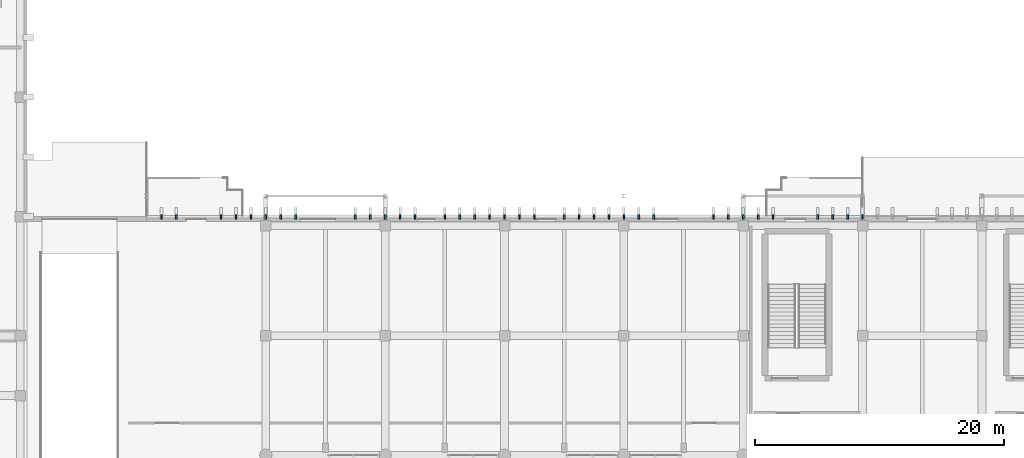
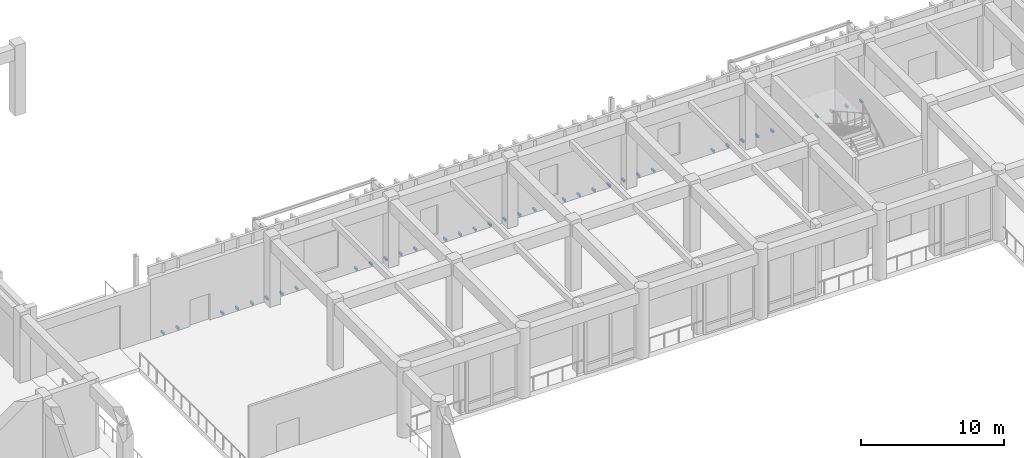
# One storey, part 56 of 87: 36 discrete accessories.
"""IFC4 building model written with IfcOpenShell, lengths in metres."""

from ifc_helpers import new_model, si_unit, direction, frame, origin, origin_2d, place, context, subcontext, project, spatial, rectangle, extrude, material, type_object, element, save


model = new_model("IFC4")

# Units and contexts
model_context = context("Model", 3, precision=1e-05, world=origin(), true_north=direction((0.0, 1.0)))
body_context = subcontext(model_context, "Body", "Model", "MODEL_VIEW")
ifc_project = project(units=[si_unit("LENGTHUNIT", "METRE"), si_unit("AREAUNIT", "SQUARE_METRE"), si_unit("VOLUMEUNIT", "CUBIC_METRE"), si_unit("PLANEANGLEUNIT", "RADIAN"), si_unit("MASSUNIT", "GRAM", prefix="KILO")], contexts=[model_context])

# Site, building, storey
site_placement = place(None, origin())
site = spatial("IfcSite", under=ifc_project, at=site_placement, CompositionType="ELEMENT")
building_placement = place(site_placement, origin())
building = spatial("IfcBuilding", under=site, at=building_placement, Name="Nakhvara Creek Congress Hotel", CompositionType="ELEMENT")
storey_placement = place(building_placement, origin())
storey = spatial("IfcBuildingStorey", under=building, at=storey_placement, Name="L00", CompositionType="ELEMENT", Elevation=0.0)

# Discrete accessories
ifc_material = material(Name="Brushed stainless steel 316L", Category="steel")
discrete_accessory_type = type_object("IfcDiscreteAccessoryType", Name="ACC-BRK-SS316", PredefinedType="BRACKET", material=ifc_material)
for number, where, z_axis, x_axis, name in (
    (1, (68.39990234375, 95.97998046875, -0.10986328125), (0.0, 0.0, 1.0), (1.0, 0.0, 0.0), "Stainless Fin Bracket BK01-0097"),
    (2, (69.60009765625, 95.97998046875, -0.10986328125), (0.0, 0.0, 1.0), (1.0, 0.0, 0.0), "Stainless Fin Bracket BK01-0098"),
    (3, (73.199951171875, 95.97998046875, -0.10986328125), (0.0, 0.0, 1.0), (1.0, 0.0, 0.0), "Stainless Fin Bracket BK01-0099"),
    (4, (74.39990234375, 95.97998046875, -0.10986328125), (0.0, 0.0, 1.0), (1.0, 0.0, 0.0), "Stainless Fin Bracket BK01-0100"),
    (5, (75.60009765625, 95.97998046875, -0.10986328125), (0.0, 0.0, 1.0), (1.0, 0.0, 0.0), "Stainless Fin Bracket BK01-0101"),
    (6, (76.800048828125, 95.97998046875, -0.10986328125), (0.0, 0.0, 1.0), (1.0, 0.0, 0.0), "Stainless Fin Bracket BK01-0102"),
    (7, (78.0, 95.97998046875, -0.10986328125), (0.0, 0.0, 1.0), (1.0, 0.0, 0.0), "Stainless Fin Bracket BK01-0103"),
    (8, (79.199951171875, 95.97998046875, -0.10986328125), (0.0, 0.0, 1.0), (1.0, 0.0, 0.0), "Stainless Fin Bracket BK01-0104"),
    (9, (84.0, 95.97998046875, -0.10986328125), (0.0, 0.0, 1.0), (1.0, 0.0, 0.0), "Stainless Fin Bracket BK01-0105"),
    (10, (85.199951171875, 95.97998046875, -0.10986328125), (0.0, 0.0, 1.0), (1.0, 0.0, 0.0), "Stainless Fin Bracket BK01-0106"),
    (11, (86.39990234375, 95.97998046875, -0.10986328125), (0.0, 0.0, 1.0), (1.0, 0.0, 0.0), "Stainless Fin Bracket BK01-0107"),
    (12, (87.60009765625, 95.97998046875, -0.10986328125), (0.0, 0.0, 1.0), (1.0, 0.0, 0.0), "Stainless Fin Bracket BK01-0108"),
    (13, (88.800048828125, 95.97998046875, -0.10986328125), (0.0, 0.0, 1.0), (1.0, 0.0, 0.0), "Stainless Fin Bracket BK01-0109"),
    (14, (91.199951171875, 95.97998046875, -0.10986328125), (0.0, 0.0, 1.0), (1.0, 0.0, 0.0), "Stainless Fin Bracket BK01-0110"),
    (15, (92.39990234375, 95.97998046875, -0.10986328125), (0.0, 0.0, 1.0), (1.0, 0.0, 0.0), "Stainless Fin Bracket BK01-0111"),
    (16, (93.60009765625, 95.97998046875, -0.10986328125), (0.0, 0.0, 1.0), (1.0, 0.0, 0.0), "Stainless Fin Bracket BK01-0112"),
    (17, (94.800048828125, 95.97998046875, -0.10986328125), (0.0, 0.0, 1.0), (1.0, 0.0, 0.0), "Stainless Fin Bracket BK01-0113"),
    (18, (96.0, 95.97998046875, -0.10986328125), (0.0, 0.0, 1.0), (1.0, 0.0, 0.0), "Stainless Fin Bracket BK01-0114"),
    (19, (97.199951171875, 95.97998046875, -0.10986328125), (0.0, 0.0, 1.0), (1.0, 0.0, 0.0), "Stainless Fin Bracket BK01-0115"),
    (20, (98.39990234375, 95.97998046875, -0.10986328125), (0.0, 0.0, 1.0), (1.0, 0.0, 0.0), "Stainless Fin Bracket BK01-0116"),
    (21, (100.800048828125, 95.97998046875, -0.10986328125), (0.0, 0.0, 1.0), (1.0, 0.0, 0.0), "Stainless Fin Bracket BK01-0117"),
    (22, (102.0, 95.97998046875, -0.10986328125), (0.0, 0.0, 1.0), (1.0, 0.0, 0.0), "Stainless Fin Bracket BK01-0118"),
    (23, (103.199951171875, 95.97998046875, -0.10986328125), (0.0, 0.0, 1.0), (1.0, 0.0, 0.0), "Stainless Fin Bracket BK01-0119"),
    (24, (104.39990234375, 95.97998046875, -0.10986328125), (0.0, 0.0, 1.0), (1.0, 0.0, 0.0), "Stainless Fin Bracket BK01-0120"),
    (25, (105.60009765625, 95.97998046875, -0.10986328125), (0.0, 0.0, 1.0), (1.0, 0.0, 0.0), "Stainless Fin Bracket BK01-0121"),
    (26, (106.800048828125, 95.97998046875, -0.10986328125), (0.0, 0.0, 1.0), (1.0, 0.0, 0.0), "Stainless Fin Bracket BK01-0122"),
    (27, (108.0, 95.97998046875, -0.10986328125), (0.0, 0.0, 1.0), (1.0, 0.0, 0.0), "Stainless Fin Bracket BK01-0123"),
    (28, (112.800048828125, 95.97998046875, -0.10986328125), (0.0, 0.0, 1.0), (1.0, 0.0, 0.0), "Stainless Fin Bracket BK01-0124"),
    (29, (114.0, 95.97998046875, -0.10986328125), (0.0, 0.0, 1.0), (1.0, 0.0, 0.0), "Stainless Fin Bracket BK01-0125"),
    (30, (115.199951171875, 95.97998046875, -0.10986328125), (0.0, 0.0, 1.0), (1.0, 0.0, 0.0), "Stainless Fin Bracket BK01-0126"),
    (31, (116.39990234375, 95.97998046875, -0.10986328125), (0.0, 0.0, 1.0), (1.0, 0.0, 0.0), "Stainless Fin Bracket BK01-0127"),
    (32, (117.60009765625, 95.97998046875, -0.10986328125), (0.0, 0.0, 1.0), (1.0, 0.0, 0.0), "Stainless Fin Bracket BK01-0128"),
    (33, (121.199951171875, 95.97998046875, -0.10986328125), (0.0, 0.0, 1.0), (1.0, 0.0, 0.0), "Stainless Fin Bracket BK01-0129"),
    (34, (122.39990234375, 95.97998046875, -0.10986328125), (0.0, 0.0, 1.0), (1.0, 0.0, 0.0), "Stainless Fin Bracket BK01-0130"),
    (35, (123.60009765625, 95.97998046875, -0.10986328125), (0.0, 0.0, 1.0), (1.0, 0.0, 0.0), "Stainless Fin Bracket BK01-0131"),
    (36, (124.800048828125, 95.97998046875, -0.10986328125), (0.0, 0.0, 1.0), (1.0, 0.0, 0.0), "Stainless Fin Bracket BK01-0132"),
):
    element("IfcDiscreteAccessory", number, at=place(storey_placement, frame(where, z_axis=z_axis, x_axis=x_axis)), inside=storey, type_object=discrete_accessory_type, Name=name, PredefinedType="BRACKET", context=body_context, shape_type="SweptSolid", body=[
        extrude(rectangle(XDim=0.139892578125, YDim=0.360107421875, at=origin_2d()), origin(), (0.0, 0.0, 1.0), 0.179931640625),
    ])

save(model, "model.ifc")
